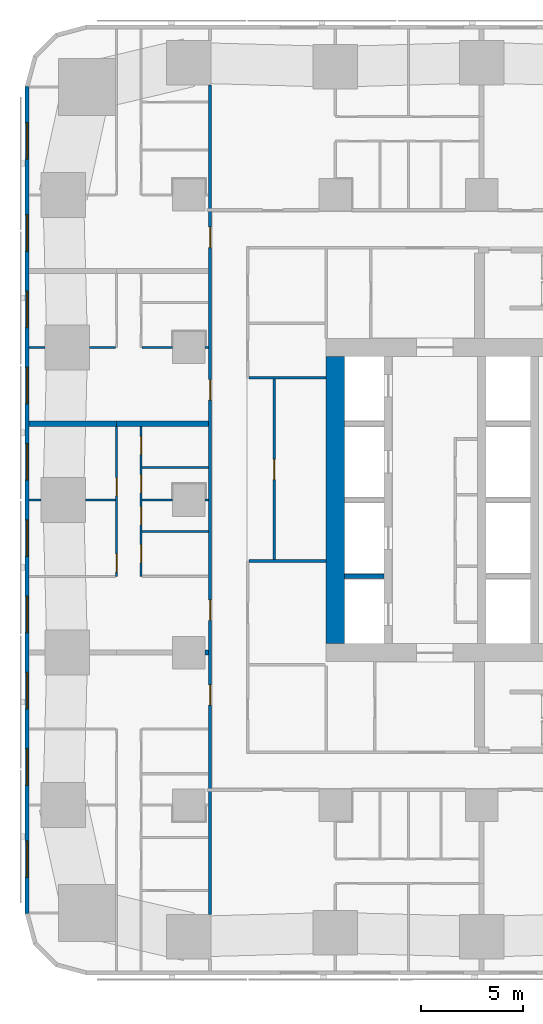
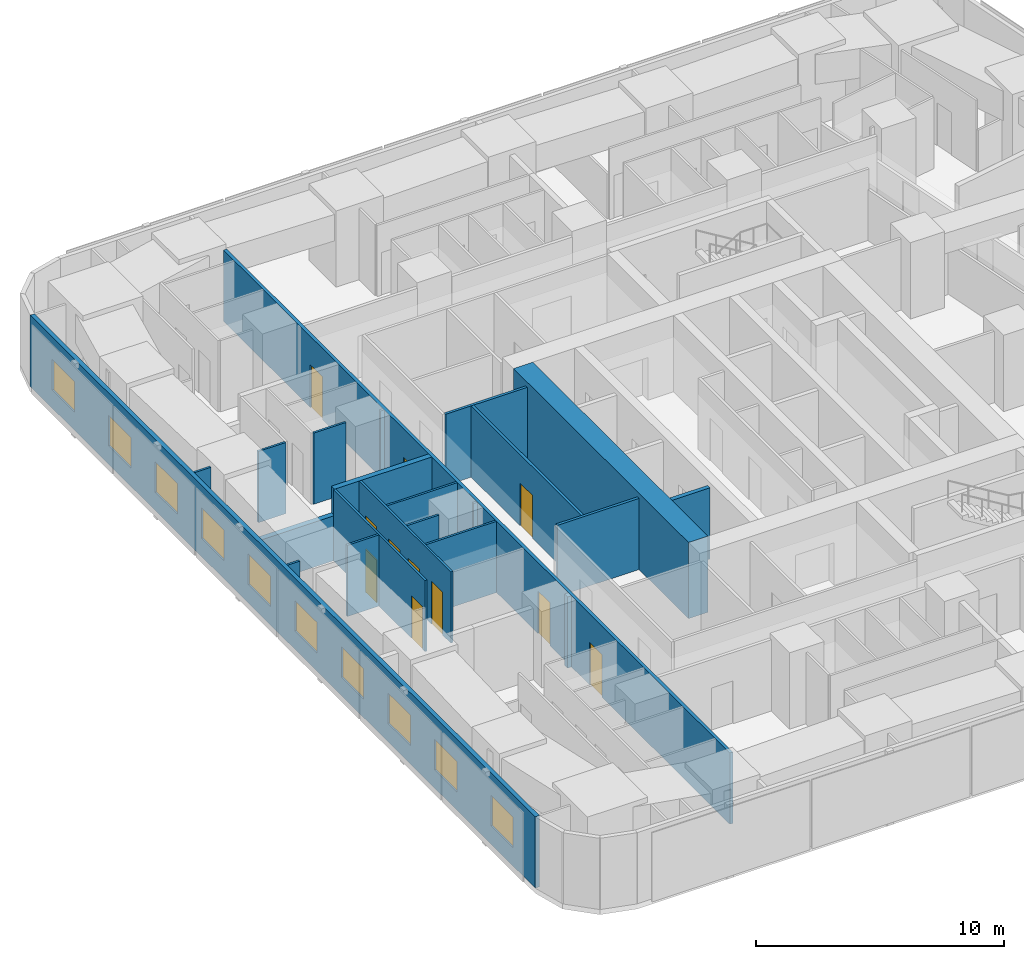
# One storey, part 4 of 15: 22 walls, 11 doors, 10 windows, 21 openings.
"""IFC4 building model written with IfcOpenShell, lengths in metres."""

import ifcopenshell
import ifcopenshell.guid

model = None  # the IFC model being written
_history = None  # IfcOwnerHistory: only IFC2X3 demands one
_inside = {}  # id of a spatial element -> (the spatial element, [elements in it])
_under = {}  # id of a project, library or spatial element -> (it, [spatial elements below it])
_declared = {}  # id of a project -> (the project, [libraries it declares])
_typed = {}  # id of a type object -> (the type object, [elements of that type])
_made_of = {}  # id of a material, layer set ... -> (it, [elements and type objects made of it])


def new_model(schema):
    """Start an empty IFC model of exactly this schema.

    Asked for "IFC4X3", IfcOpenShell would pick the latest addendum, in which some entities
    have other attributes; the version numbers below select the first issue.
    IFC2X3 requires an IfcOwnerHistory on every rooted entity: one is made here for all.
    """
    global model, _history
    if schema == "IFC4X3":
        model = ifcopenshell.file(schema_version=(4, 3, 0, 0))
    else:
        model = ifcopenshell.file(schema=schema)
    _inside.clear()
    _under.clear()
    _declared.clear()
    _typed.clear()
    _made_of.clear()
    _history = None
    if model.schema == "IFC2X3":
        org = make("IfcOrganization", Name="unknown")
        user = make(
            "IfcPersonAndOrganization",
            ThePerson=make("IfcPerson", FamilyName="unknown"),
            TheOrganization=org,
        )
        app = make(
            "IfcApplication",
            ApplicationDeveloper=org,
            Version="unknown",
            ApplicationFullName="unknown",
            ApplicationIdentifier="unknown",
        )
        _history = make(
            "IfcOwnerHistory",
            OwningUser=user,
            OwningApplication=app,
            ChangeAction="ADDED",
            CreationDate=0,
        )
    return model


def make(cls, **values):
    """One entity of the class cls with the attributes given. An attribute that is None is left unset."""
    return model.create_entity(
        cls, **{name: value for name, value in values.items() if value is not None}
    )


def rooted(cls, **values):
    """An entity with a GlobalId (a new one), such as an element, a storey or a relation."""
    return make(cls, GlobalId=ifcopenshell.guid.new(), OwnerHistory=_history, **values)


def si_unit(unit_type, name, prefix=None):
    """IfcSIUnit, for example si_unit("LENGTHUNIT", "METRE", prefix="MILLI")."""
    return make("IfcSIUnit", UnitType=unit_type, Prefix=prefix, Name=name)


def assignment(units):
    """IfcUnitAssignment: the units of a project."""
    return None if units is None else make("IfcUnitAssignment", Units=units)


def point(xyz):
    """IfcCartesianPoint."""
    return None if xyz is None else make("IfcCartesianPoint", Coordinates=xyz)


def direction(xyz):
    """IfcDirection."""
    return None if xyz is None else make("IfcDirection", DirectionRatios=xyz)


def frame(location, z_axis=None, x_axis=None):
    """IfcAxis2Placement3D, a coordinate frame: its origin and axes. An axis left out is left unset."""
    return make(
        "IfcAxis2Placement3D",
        Location=point(location),
        Axis=direction(z_axis),
        RefDirection=direction(x_axis),
    )


def frame_2d(location, x_axis=None):
    """IfcAxis2Placement2D, a coordinate frame in the plane: its origin and x axis."""
    return make(
        "IfcAxis2Placement2D", Location=point(location), RefDirection=direction(x_axis)
    )


def origin():
    """The frame at (0, 0, 0) with its axes left unset."""
    return frame((0.0, 0.0, 0.0))


def place(relative_to, where):
    """IfcLocalPlacement: puts the frame where relative to a parent placement (None: the world)."""
    return make(
        "IfcLocalPlacement", PlacementRelTo=relative_to, RelativePlacement=where
    )


def context(
    kind, dimensions, precision=None, world=None, true_north=None, identifier=None
):
    """IfcGeometricRepresentationContext, for example the 3D "Model" context."""
    return make(
        "IfcGeometricRepresentationContext",
        ContextIdentifier=identifier,
        ContextType=kind,
        CoordinateSpaceDimension=dimensions,
        Precision=precision,
        WorldCoordinateSystem=world,
        TrueNorth=true_north,
    )


def subcontext(parent, identifier, kind, view, scale=None):
    """IfcGeometricRepresentationSubContext, for example "Body" below "Model"."""
    return make(
        "IfcGeometricRepresentationSubContext",
        ContextIdentifier=identifier,
        ContextType=kind,
        ParentContext=parent,
        TargetScale=scale,
        TargetView=view,
    )


def project(units=None, contexts=None):
    """IfcProject with its units and contexts."""
    return rooted(
        "IfcProject",
        Name="project",
        RepresentationContexts=contexts,
        UnitsInContext=assignment(units),
    )


def spatial(cls, under=None, at=None, **own):
    """A site, building, storey or space (cls), placed at a placement, below another one or the project."""
    s = rooted(cls, ObjectPlacement=at, **own)
    if under is not None:
        _under.setdefault(under.id(), (under, []))[1].append(s)
    return s


def profile(cls, at=None, kind="AREA", **sizes):
    """A parametric profile (cls). Its sizes go by their IFC names, for example OverallWidth=200.0."""
    return make(cls, ProfileType=kind, Position=at, **sizes)


def rectangle(**sizes):
    """IfcRectangleProfileDef."""
    return profile("IfcRectangleProfileDef", **sizes)


def extrude(swept, where, along, depth):
    """IfcExtrudedAreaSolid: the profile swept, set in the frame where, extruded along a direction by depth."""
    return make(
        "IfcExtrudedAreaSolid",
        SweptArea=swept,
        Position=where,
        ExtrudedDirection=direction(along),
        Depth=depth,
    )


def shape(context_of_items, identifier, shape_type, items):
    """IfcShapeRepresentation: the items that make up one representation, for example the "Body"."""
    return make(
        "IfcShapeRepresentation",
        ContextOfItems=context_of_items,
        RepresentationIdentifier=identifier,
        RepresentationType=shape_type,
        Items=items,
    )


def material(Name=None, Category=None):
    """IfcMaterial."""
    return make("IfcMaterial", Name=Name, Category=Category)


def layer(
    of_material, thickness, ventilated=None, Name=None, Category=None, Priority=None
):
    """IfcMaterialLayer: one layer of a wall or slab, of a material (None: an air gap)."""
    return make(
        "IfcMaterialLayer",
        Material=of_material,
        LayerThickness=thickness,
        IsVentilated=ventilated,
        Name=Name,
        Category=Category,
        Priority=Priority,
    )


def layer_set(layers, Name=None):
    """IfcMaterialLayerSet."""
    return make("IfcMaterialLayerSet", MaterialLayers=layers, LayerSetName=Name)


def made_of(thing, what):
    """Note that an element or type object is made of a material, layer set ...; save() writes the relation."""
    if what is not None:
        _made_of.setdefault(what.id(), (what, []))[1].append(thing)
    return thing


def type_object(cls, material=None, **own):
    """A type object (cls), such as IfcWallType, which elements share."""
    return made_of(rooted(cls, **own), material)


def element(
    cls,
    number,
    at=None,
    inside=None,
    cuts=None,
    type_object=None,
    material=None,
    context=None,
    identifier="Body",
    shape_type=None,
    held_by="IfcProductDefinitionShape",
    body=None,
    shapes=None,
    **own,
):
    """One element of the class cls, such as IfcWall. Its Tag is "e" and its number.

    at: its placement. inside: the storey or other place that contains it. cuts: it is an
    opening in that element (IfcRelVoidsElement). A single representation is given by context,
    identifier, shape_type and body (its items); several are given by shapes. held_by: the class
    of the entity that holds the representations. save() writes the other relations.
    """
    e = rooted(cls, Tag="e%d" % number, ObjectPlacement=at, **own)
    if body is not None:
        shapes = [shape(context, identifier, shape_type, body)]
    if shapes is not None:
        e.Representation = make(held_by, Representations=shapes)
    if inside is not None:
        _inside.setdefault(inside.id(), (inside, []))[1].append(e)
    if cuts is not None:
        rooted(
            "IfcRelVoidsElement", RelatingBuildingElement=cuts, RelatedOpeningElement=e
        )
    if type_object is not None:
        _typed.setdefault(type_object.id(), (type_object, []))[1].append(e)
    return made_of(e, material)


def fill(opening, filler):
    """IfcRelFillsElement: the door or window that sits in an opening."""
    return rooted(
        "IfcRelFillsElement",
        RelatingOpeningElement=opening,
        RelatedBuildingElement=filler,
    )


def aggregate(whole, parts):
    """IfcRelAggregates: a whole, such as a stair, and the parts it consists of."""
    return rooted("IfcRelAggregates", RelatingObject=whole, RelatedObjects=parts)


def save(model, path):
    """Write the relations noted so far, then the file.

    IfcRelAggregates (storeys below a building ...), IfcRelContainedInSpatialStructure (elements
    in a storey), IfcRelDefinesByType, IfcRelAssociatesMaterial and IfcRelDeclares: one each for
    every whole, place, type object, material and project.
    """
    for whole, parts in _under.values():
        aggregate(whole, parts)
    for where, things in _inside.values():
        rooted(
            "IfcRelContainedInSpatialStructure",
            RelatedElements=things,
            RelatingStructure=where,
        )
    for kind, things in _typed.values():
        rooted("IfcRelDefinesByType", RelatedObjects=things, RelatingType=kind)
    for what, things in _made_of.values():
        rooted("IfcRelAssociatesMaterial", RelatedObjects=things, RelatingMaterial=what)
    for by, libraries in _declared.values():
        rooted("IfcRelDeclares", RelatingContext=by, RelatedDefinitions=libraries)
    model.write(path)


model = new_model("IFC4")

# Units and contexts
model_context = context("Model", 3, precision=1e-05, world=origin(), true_north=direction((0.0, 1.0)))
body_context = subcontext(model_context, "Body", "Model", "MODEL_VIEW")
ifc_project = project(units=[si_unit("LENGTHUNIT", "METRE"), si_unit("AREAUNIT", "SQUARE_METRE"), si_unit("VOLUMEUNIT", "CUBIC_METRE"), si_unit("PLANEANGLEUNIT", "RADIAN"), si_unit("MASSUNIT", "GRAM", prefix="KILO")], contexts=[model_context])

# Site, building, storey
site_placement = place(None, origin())
site = spatial("IfcSite", under=ifc_project, at=site_placement, CompositionType="ELEMENT")
building_placement = place(site_placement, origin())
building = spatial("IfcBuilding", under=site, at=building_placement, Name="Sheger Commons Tower", CompositionType="ELEMENT")
storey_placement = place(building_placement, frame((0.0, 0.0, 107.89990234375)))
storey = spatial("IfcBuildingStorey", under=building, at=storey_placement, Name="L27", CompositionType="ELEMENT", Elevation=107.89990234375)

# Wall
ifc_material_1 = material(Name="Concrete C50/60", Category="concrete")
ifc_layer_1 = layer(ifc_material_1, 0.89990234375)
ifc_layer_set_1 = layer_set([ifc_layer_1], Name="CORE WALL 900")
wall_type_1 = type_object("IfcWallType", Name="CORE WALL 900", PredefinedType="SHEAR", material=ifc_layer_set_1)
wall_1_placement = place(storey_placement, frame((14.39990234375, 15.449951171875, 0.0), z_axis=(0.0, 0.0, 1.0), x_axis=(0.0, 1.0, 0.0)))
element("IfcWall", 1, at=wall_1_placement, inside=storey, type_object=wall_type_1, Name="Core wall west L27", PredefinedType="SHEAR", context=body_context, shape_type="SweptSolid", body=[
    extrude(rectangle(XDim=14.10009765625, YDim=0.89990234375, at=frame_2d((7.050048828125, 0.0))), origin(), (0.0, 0.0, 1.0), 3.75),
])

# Wall, openings, doors
ifc_material_2 = material(Name="Hollow concrete block masonry, skimmed both sides", Category="masonry")
ifc_layer_2 = layer(ifc_material_2, 0.14990234375)
ifc_layer_set_2 = layer_set([ifc_layer_2], Name="CORRIDOR WALL 150")
wall_type_2 = type_object("IfcWallType", Name="CORRIDOR WALL 150", PredefinedType="SOLIDWALL", material=ifc_layer_set_2)
wall_2_placement = place(storey_placement, frame((8.25, 2.1259765625, 0.0), z_axis=(0.0, 0.0, 1.0), x_axis=(0.0, 1.0, 0.0)))
wall_2 = element("IfcWall", 2, at=wall_2_placement, inside=storey, type_object=wall_type_2, Name="Corridor wall L27", PredefinedType="SOLIDWALL", context=body_context, shape_type="SweptSolid", body=[
    extrude(rectangle(XDim=40.77294921875, YDim=0.14990234375, at=frame_2d((20.386474609375, 0.0))), origin(), (0.0, 0.0, 1.0), 3.5),
])
opening_1_placement = place(wall_2_placement, frame((10.285888671875, 0.0, 0.0)))
opening_1 = element("IfcOpeningElement", 3, at=opening_1_placement, cuts=wall_2, Name="Opening D1", PredefinedType="OPENING", context=body_context, shape_type="SweptSolid", body=[
    extrude(rectangle(XDim=1.0, YDim=2.10009765625, at=frame_2d((0.5, 1.050048828125))), frame((0.0, 0.0849609375, 0.0), z_axis=(0.0, -1.0, 0.0), x_axis=(1.0, 0.0, 0.0)), (0.0, 0.0, 1.0), 0.169921875),
])
opening_2_placement = place(wall_2_placement, frame((14.4609375, 0.0, 0.0)))
opening_2 = element("IfcOpeningElement", 4, at=opening_2_placement, cuts=wall_2, Name="Opening D1", PredefinedType="OPENING", context=body_context, shape_type="SweptSolid", body=[
    extrude(rectangle(XDim=1.0, YDim=2.10009765625, at=frame_2d((0.5, 1.050048828125))), frame((0.0, 0.0849609375, 0.0), z_axis=(0.0, -1.0, 0.0), x_axis=(1.0, 0.0, 0.0)), (0.0, 0.0, 1.0), 0.169921875),
])
opening_3_placement = place(wall_2_placement, frame((25.287109375, 0.0, 0.0)))
opening_3 = element("IfcOpeningElement", 5, at=opening_3_placement, cuts=wall_2, Name="Opening D1", PredefinedType="OPENING", context=body_context, shape_type="SweptSolid", body=[
    extrude(rectangle(XDim=1.0, YDim=2.10009765625, at=frame_2d((0.5, 1.050048828125))), frame((0.0, 0.0849609375, 0.0), z_axis=(0.0, -1.0, 0.0), x_axis=(1.0, 0.0, 0.0)), (0.0, 0.0, 1.0), 0.169921875),
])
opening_4_placement = place(wall_2_placement, frame((32.787109375, 0.0, 0.0)))
opening_4 = element("IfcOpeningElement", 6, at=opening_4_placement, cuts=wall_2, Name="Opening D1", PredefinedType="OPENING", context=body_context, shape_type="SweptSolid", body=[
    extrude(rectangle(XDim=1.0, YDim=2.10009765625, at=frame_2d((0.5, 1.050048828125))), frame((0.0, 0.0849609375, 0.0), z_axis=(0.0, -1.0, 0.0), x_axis=(1.0, 0.0, 0.0)), (0.0, 0.0, 1.0), 0.169921875),
])
ifc_material_3 = material(Name="Steel door set, fire rated", Category="steel")
door_type_1 = type_object("IfcDoorType", Name="FLAT ENTRANCE DOOR 1000x2100", OperationType="NOTDEFINED", PredefinedType="DOOR", material=ifc_material_3)
door_1_placement = place(opening_1_placement, origin())
door_1 = element("IfcDoor", 7, at=door_1_placement, inside=storey, type_object=door_type_1, Name="Flat entrance door", OperationType="SINGLE_SWING_LEFT", OverallHeight=2.10009765625, OverallWidth=1.0, PredefinedType="DOOR", context=body_context, shape_type="SweptSolid", body=[
    extrude(rectangle(XDim=1.0, YDim=2.10009765625, at=frame_2d((0.5, 1.050048828125))), frame((0.0, 0.02490234375, 0.0), z_axis=(0.0, -1.0, 0.0), x_axis=(1.0, 0.0, 0.0)), (0.0, 0.0, 1.0), 0.050048828125),
])
fill(opening_1, door_1)
door_2_placement = place(opening_2_placement, origin())
door_2 = element("IfcDoor", 8, at=door_2_placement, inside=storey, type_object=door_type_1, Name="Flat entrance door", OperationType="SINGLE_SWING_RIGHT", OverallHeight=2.10009765625, OverallWidth=1.0, PredefinedType="DOOR", context=body_context, shape_type="SweptSolid", body=[
    extrude(rectangle(XDim=1.0, YDim=2.10009765625, at=frame_2d((0.5, 1.050048828125))), frame((0.0, 0.02490234375, 0.0), z_axis=(0.0, -1.0, 0.0), x_axis=(1.0, 0.0, 0.0)), (0.0, 0.0, 1.0), 0.050048828125),
])
fill(opening_2, door_2)
door_3_placement = place(opening_3_placement, origin())
door_3 = element("IfcDoor", 9, at=door_3_placement, inside=storey, type_object=door_type_1, Name="Flat entrance door", OperationType="SINGLE_SWING_LEFT", OverallHeight=2.10009765625, OverallWidth=1.0, PredefinedType="DOOR", context=body_context, shape_type="SweptSolid", body=[
    extrude(rectangle(XDim=1.0, YDim=2.10009765625, at=frame_2d((0.5, 1.050048828125))), frame((0.0, 0.02490234375, 0.0), z_axis=(0.0, -1.0, 0.0), x_axis=(1.0, 0.0, 0.0)), (0.0, 0.0, 1.0), 0.050048828125),
])
fill(opening_3, door_3)
door_4_placement = place(opening_4_placement, origin())
door_4 = element("IfcDoor", 10, at=door_4_placement, inside=storey, type_object=door_type_1, Name="Flat entrance door", OperationType="SINGLE_SWING_LEFT", OverallHeight=2.10009765625, OverallWidth=1.0, PredefinedType="DOOR", context=body_context, shape_type="SweptSolid", body=[
    extrude(rectangle(XDim=1.0, YDim=2.10009765625, at=frame_2d((0.5, 1.050048828125))), frame((0.0, 0.02490234375, 0.0), z_axis=(0.0, -1.0, 0.0), x_axis=(1.0, 0.0, 0.0)), (0.0, 0.0, 1.0), 0.050048828125),
])
fill(opening_4, door_4)

# Walls
ifc_material_4 = material(Name="Dense concrete block masonry, plastered both sides (separating wall between flats)", Category="masonry")
ifc_layer_3 = layer(ifc_material_4, 0.25)
ifc_layer_set_3 = layer_set([ifc_layer_3], Name="DEMISING WALL 250")
wall_type_3 = type_object("IfcWallType", Name="DEMISING WALL 250", PredefinedType="SOLIDWALL", material=ifc_layer_set_3)
wall_3_placement = place(storey_placement, frame((8.0009765625, 15.0, 0.0), z_axis=(0.0, 0.0, 1.0), x_axis=(1.0, 0.0, 0.0)))
element("IfcWall", 11, at=wall_3_placement, inside=storey, type_object=wall_type_3, Name="Demising wall L27", PredefinedType="SOLIDWALL", context=body_context, shape_type="SweptSolid", body=[
    extrude(rectangle(XDim=0.174072265625, YDim=0.25, at=frame_2d((0.0869140625, 0.0))), origin(), (0.0, 0.0, 1.0), 3.5),
])
wall_4_placement = place(storey_placement, frame((-0.64990234375, 26.25, 0.0), z_axis=(0.0, 0.0, 1.0), x_axis=(1.0, 0.0, 0.0)))
element("IfcWall", 12, at=wall_4_placement, inside=storey, type_object=wall_type_3, Name="Demising wall L27", PredefinedType="SOLIDWALL", context=body_context, shape_type="SweptSolid", body=[
    extrude(rectangle(XDim=4.2998046875, YDim=0.25, at=frame_2d((2.14990234375, 0.0))), origin(), (0.0, 0.0, 1.0), 2.2001953125),
])
wall_5_placement = place(storey_placement, frame((3.64990234375, 26.25, 0.0), z_axis=(0.0, 0.0, 1.0), x_axis=(1.0, 0.0, 0.0)))
element("IfcWall", 13, at=wall_5_placement, inside=storey, type_object=wall_type_3, Name="Demising wall L27", PredefinedType="SOLIDWALL", context=body_context, shape_type="SweptSolid", body=[
    extrude(rectangle(XDim=4.525146484375, YDim=0.25, at=frame_2d((2.2626953125, 0.0))), origin(), (0.0, 0.0, 1.0), 3.5),
])

# Wall, openings, windows
ifc_material_5 = material(Name="Rendered concrete block masonry, dark grey", Category="masonry")
ifc_layer_4 = layer(ifc_material_5, 0.199951171875)
ifc_layer_set_4 = layer_set([ifc_layer_4], Name="FACADE WALL 200")
wall_type_4 = type_object("IfcWallType", Name="FACADE WALL 200", PredefinedType="SOLIDWALL", material=ifc_layer_set_4)
wall_6_placement = place(storey_placement, frame((-0.75, 42.8369140625, 0.0), z_axis=(0.0, 0.0, 1.0), x_axis=(0.0, -1.0, 0.0)))
wall_6 = element("IfcWall", 14, at=wall_6_placement, inside=storey, type_object=wall_type_4, Name="Facade wall L27", PredefinedType="SOLIDWALL", context=body_context, shape_type="SweptSolid", body=[
    extrude(rectangle(XDim=40.673828125, YDim=0.199951171875, at=frame_2d((20.3369140625, 0.0))), origin(), (0.0, 0.0, 1.0), 3.5),
])
opening_5_placement = place(wall_6_placement, frame((1.780029296875, 0.0, 0.89990234375)))
opening_5 = element("IfcOpeningElement", 15, at=opening_5_placement, cuts=wall_6, Name="Opening W2", PredefinedType="OPENING", context=body_context, shape_type="SweptSolid", body=[
    extrude(rectangle(XDim=1.800048828125, YDim=1.5, at=frame_2d((0.89990234375, 0.75))), frame((0.0, 0.10986328125, 0.0), z_axis=(0.0, -1.0, 0.0), x_axis=(1.0, 0.0, 0.0)), (0.0, 0.0, 1.0), 0.219970703125),
])
opening_6_placement = place(wall_6_placement, frame((6.31201171875, 0.0, 0.89990234375)))
opening_6 = element("IfcOpeningElement", 16, at=opening_6_placement, cuts=wall_6, Name="Opening W2", PredefinedType="OPENING", context=body_context, shape_type="SweptSolid", body=[
    extrude(rectangle(XDim=1.800048828125, YDim=1.5, at=frame_2d((0.89990234375, 0.75))), frame((0.0, 0.10986328125, 0.0), z_axis=(0.0, -1.0, 0.0), x_axis=(1.0, 0.0, 0.0)), (0.0, 0.0, 1.0), 0.219970703125),
])
opening_7_placement = place(wall_6_placement, frame((10.06201171875, 0.0, 0.89990234375)))
opening_7 = element("IfcOpeningElement", 17, at=opening_7_placement, cuts=wall_6, Name="Opening W2", PredefinedType="OPENING", context=body_context, shape_type="SweptSolid", body=[
    extrude(rectangle(XDim=1.800048828125, YDim=1.5, at=frame_2d((0.89990234375, 0.75))), frame((0.0, 0.10986328125, 0.0), z_axis=(0.0, -1.0, 0.0), x_axis=(1.0, 0.0, 0.0)), (0.0, 0.0, 1.0), 0.219970703125),
])
opening_8_placement = place(wall_6_placement, frame((13.81201171875, 0.0, 0.89990234375)))
opening_8 = element("IfcOpeningElement", 18, at=opening_8_placement, cuts=wall_6, Name="Opening W2", PredefinedType="OPENING", context=body_context, shape_type="SweptSolid", body=[
    extrude(rectangle(XDim=1.800048828125, YDim=1.5, at=frame_2d((0.89990234375, 0.75))), frame((0.0, 0.10986328125, 0.0), z_axis=(0.0, -1.0, 0.0), x_axis=(1.0, 0.0, 0.0)), (0.0, 0.0, 1.0), 0.219970703125),
])
opening_9_placement = place(wall_6_placement, frame((17.56201171875, 0.0, 0.89990234375)))
opening_9 = element("IfcOpeningElement", 19, at=opening_9_placement, cuts=wall_6, Name="Opening W2", PredefinedType="OPENING", context=body_context, shape_type="SweptSolid", body=[
    extrude(rectangle(XDim=1.800048828125, YDim=1.5, at=frame_2d((0.89990234375, 0.75))), frame((0.0, 0.10986328125, 0.0), z_axis=(0.0, -1.0, 0.0), x_axis=(1.0, 0.0, 0.0)), (0.0, 0.0, 1.0), 0.219970703125),
])
opening_10_placement = place(wall_6_placement, frame((21.31201171875, 0.0, 0.89990234375)))
opening_10 = element("IfcOpeningElement", 20, at=opening_10_placement, cuts=wall_6, Name="Opening W2", PredefinedType="OPENING", context=body_context, shape_type="SweptSolid", body=[
    extrude(rectangle(XDim=1.800048828125, YDim=1.5, at=frame_2d((0.89990234375, 0.75))), frame((0.0, 0.10986328125, 0.0), z_axis=(0.0, -1.0, 0.0), x_axis=(1.0, 0.0, 0.0)), (0.0, 0.0, 1.0), 0.219970703125),
])
opening_11_placement = place(wall_6_placement, frame((25.06201171875, 0.0, 0.89990234375)))
opening_11 = element("IfcOpeningElement", 21, at=opening_11_placement, cuts=wall_6, Name="Opening W2", PredefinedType="OPENING", context=body_context, shape_type="SweptSolid", body=[
    extrude(rectangle(XDim=1.800048828125, YDim=1.5, at=frame_2d((0.89990234375, 0.75))), frame((0.0, 0.10986328125, 0.0), z_axis=(0.0, -1.0, 0.0), x_axis=(1.0, 0.0, 0.0)), (0.0, 0.0, 1.0), 0.219970703125),
])
opening_12_placement = place(wall_6_placement, frame((28.81201171875, 0.0, 0.89990234375)))
opening_12 = element("IfcOpeningElement", 22, at=opening_12_placement, cuts=wall_6, Name="Opening W2", PredefinedType="OPENING", context=body_context, shape_type="SweptSolid", body=[
    extrude(rectangle(XDim=1.800048828125, YDim=1.5, at=frame_2d((0.89990234375, 0.75))), frame((0.0, 0.10986328125, 0.0), z_axis=(0.0, -1.0, 0.0), x_axis=(1.0, 0.0, 0.0)), (0.0, 0.0, 1.0), 0.219970703125),
])
opening_13_placement = place(wall_6_placement, frame((32.56201171875, 0.0, 0.89990234375)))
opening_13 = element("IfcOpeningElement", 23, at=opening_13_placement, cuts=wall_6, Name="Opening W2", PredefinedType="OPENING", context=body_context, shape_type="SweptSolid", body=[
    extrude(rectangle(XDim=1.800048828125, YDim=1.5, at=frame_2d((0.89990234375, 0.75))), frame((0.0, 0.10986328125, 0.0), z_axis=(0.0, -1.0, 0.0), x_axis=(1.0, 0.0, 0.0)), (0.0, 0.0, 1.0), 0.219970703125),
])
opening_14_placement = place(wall_6_placement, frame((37.093994140625, 0.0, 0.89990234375)))
opening_14 = element("IfcOpeningElement", 24, at=opening_14_placement, cuts=wall_6, Name="Opening W2", PredefinedType="OPENING", context=body_context, shape_type="SweptSolid", body=[
    extrude(rectangle(XDim=1.800048828125, YDim=1.5, at=frame_2d((0.89990234375, 0.75))), frame((0.0, 0.10986328125, 0.0), z_axis=(0.0, -1.0, 0.0), x_axis=(1.0, 0.0, 0.0)), (0.0, 0.0, 1.0), 0.219970703125),
])
ifc_material_6 = material(Name="Black aluminium frame, dark tinted double glazing", Category="aluminium")
window_type = type_object("IfcWindowType", Name="WINDOW W2 1800x1500", PartitioningType="SINGLE_PANEL", PredefinedType="WINDOW", material=ifc_material_6)
window_1_placement = place(opening_5_placement, origin())
window_1 = element("IfcWindow", 25, at=window_1_placement, inside=storey, type_object=window_type, Name="Window W2 1800X1500", OverallHeight=1.5, OverallWidth=1.800048828125, PartitioningType="SINGLE_PANEL", PredefinedType="WINDOW", context=body_context, shape_type="SweptSolid", body=[
    extrude(rectangle(XDim=1.800048828125, YDim=1.5, at=frame_2d((0.89990234375, 0.75))), frame((0.0, 0.030029296875, 0.0), z_axis=(0.0, -1.0, 0.0), x_axis=(1.0, 0.0, 0.0)), (0.0, 0.0, 1.0), 0.06005859375),
])
fill(opening_5, window_1)
window_2_placement = place(opening_6_placement, origin())
window_2 = element("IfcWindow", 26, at=window_2_placement, inside=storey, type_object=window_type, Name="Window W2 1800X1500", OverallHeight=1.5, OverallWidth=1.800048828125, PartitioningType="SINGLE_PANEL", PredefinedType="WINDOW", context=body_context, shape_type="SweptSolid", body=[
    extrude(rectangle(XDim=1.800048828125, YDim=1.5, at=frame_2d((0.89990234375, 0.75))), frame((0.0, 0.030029296875, 0.0), z_axis=(0.0, -1.0, 0.0), x_axis=(1.0, 0.0, 0.0)), (0.0, 0.0, 1.0), 0.06005859375),
])
fill(opening_6, window_2)
window_3_placement = place(opening_7_placement, origin())
window_3 = element("IfcWindow", 27, at=window_3_placement, inside=storey, type_object=window_type, Name="Window W2 1800X1500", OverallHeight=1.5, OverallWidth=1.800048828125, PartitioningType="SINGLE_PANEL", PredefinedType="WINDOW", context=body_context, shape_type="SweptSolid", body=[
    extrude(rectangle(XDim=1.800048828125, YDim=1.5, at=frame_2d((0.89990234375, 0.75))), frame((0.0, 0.030029296875, 0.0), z_axis=(0.0, -1.0, 0.0), x_axis=(1.0, 0.0, 0.0)), (0.0, 0.0, 1.0), 0.06005859375),
])
fill(opening_7, window_3)
window_4_placement = place(opening_8_placement, origin())
window_4 = element("IfcWindow", 28, at=window_4_placement, inside=storey, type_object=window_type, Name="Window W2 1800X1500", OverallHeight=1.5, OverallWidth=1.800048828125, PartitioningType="SINGLE_PANEL", PredefinedType="WINDOW", context=body_context, shape_type="SweptSolid", body=[
    extrude(rectangle(XDim=1.800048828125, YDim=1.5, at=frame_2d((0.89990234375, 0.75))), frame((0.0, 0.030029296875, 0.0), z_axis=(0.0, -1.0, 0.0), x_axis=(1.0, 0.0, 0.0)), (0.0, 0.0, 1.0), 0.06005859375),
])
fill(opening_8, window_4)
window_5_placement = place(opening_9_placement, origin())
window_5 = element("IfcWindow", 29, at=window_5_placement, inside=storey, type_object=window_type, Name="Window W2 1800X1500", OverallHeight=1.5, OverallWidth=1.800048828125, PartitioningType="SINGLE_PANEL", PredefinedType="WINDOW", context=body_context, shape_type="SweptSolid", body=[
    extrude(rectangle(XDim=1.800048828125, YDim=1.5, at=frame_2d((0.89990234375, 0.75))), frame((0.0, 0.030029296875, 0.0), z_axis=(0.0, -1.0, 0.0), x_axis=(1.0, 0.0, 0.0)), (0.0, 0.0, 1.0), 0.06005859375),
])
fill(opening_9, window_5)
window_6_placement = place(opening_10_placement, origin())
window_6 = element("IfcWindow", 30, at=window_6_placement, inside=storey, type_object=window_type, Name="Window W2 1800X1500", OverallHeight=1.5, OverallWidth=1.800048828125, PartitioningType="SINGLE_PANEL", PredefinedType="WINDOW", context=body_context, shape_type="SweptSolid", body=[
    extrude(rectangle(XDim=1.800048828125, YDim=1.5, at=frame_2d((0.89990234375, 0.75))), frame((0.0, 0.030029296875, 0.0), z_axis=(0.0, -1.0, 0.0), x_axis=(1.0, 0.0, 0.0)), (0.0, 0.0, 1.0), 0.06005859375),
])
fill(opening_10, window_6)
window_7_placement = place(opening_11_placement, origin())
window_7 = element("IfcWindow", 31, at=window_7_placement, inside=storey, type_object=window_type, Name="Window W2 1800X1500", OverallHeight=1.5, OverallWidth=1.800048828125, PartitioningType="SINGLE_PANEL", PredefinedType="WINDOW", context=body_context, shape_type="SweptSolid", body=[
    extrude(rectangle(XDim=1.800048828125, YDim=1.5, at=frame_2d((0.89990234375, 0.75))), frame((0.0, 0.030029296875, 0.0), z_axis=(0.0, -1.0, 0.0), x_axis=(1.0, 0.0, 0.0)), (0.0, 0.0, 1.0), 0.06005859375),
])
fill(opening_11, window_7)
window_8_placement = place(opening_12_placement, origin())
window_8 = element("IfcWindow", 32, at=window_8_placement, inside=storey, type_object=window_type, Name="Window W2 1800X1500", OverallHeight=1.5, OverallWidth=1.800048828125, PartitioningType="SINGLE_PANEL", PredefinedType="WINDOW", context=body_context, shape_type="SweptSolid", body=[
    extrude(rectangle(XDim=1.800048828125, YDim=1.5, at=frame_2d((0.89990234375, 0.75))), frame((0.0, 0.030029296875, 0.0), z_axis=(0.0, -1.0, 0.0), x_axis=(1.0, 0.0, 0.0)), (0.0, 0.0, 1.0), 0.06005859375),
])
fill(opening_12, window_8)
window_9_placement = place(opening_13_placement, origin())
window_9 = element("IfcWindow", 33, at=window_9_placement, inside=storey, type_object=window_type, Name="Window W2 1800X1500", OverallHeight=1.5, OverallWidth=1.800048828125, PartitioningType="SINGLE_PANEL", PredefinedType="WINDOW", context=body_context, shape_type="SweptSolid", body=[
    extrude(rectangle(XDim=1.800048828125, YDim=1.5, at=frame_2d((0.89990234375, 0.75))), frame((0.0, 0.030029296875, 0.0), z_axis=(0.0, -1.0, 0.0), x_axis=(1.0, 0.0, 0.0)), (0.0, 0.0, 1.0), 0.06005859375),
])
fill(opening_13, window_9)
window_10_placement = place(opening_14_placement, origin())
window_10 = element("IfcWindow", 34, at=window_10_placement, inside=storey, type_object=window_type, Name="Window W2 1800X1500", OverallHeight=1.5, OverallWidth=1.800048828125, PartitioningType="SINGLE_PANEL", PredefinedType="WINDOW", context=body_context, shape_type="SweptSolid", body=[
    extrude(rectangle(XDim=1.800048828125, YDim=1.5, at=frame_2d((0.89990234375, 0.75))), frame((0.0, 0.030029296875, 0.0), z_axis=(0.0, -1.0, 0.0), x_axis=(1.0, 0.0, 0.0)), (0.0, 0.0, 1.0), 0.06005859375),
])
fill(opening_14, window_10)

# Wall, openings, doors
ifc_material_7 = material(Name="Gypsum board on steel studs", Category="steel")
ifc_layer_5 = layer(ifc_material_7, 0.10009765625)
ifc_layer_set_5 = layer_set([ifc_layer_5], Name="PARTITION 100")
wall_type_5 = type_object("IfcWallType", Name="PARTITION 100", PredefinedType="PARTITIONING", material=ifc_layer_set_5)
wall_7_placement = place(storey_placement, frame((3.64990234375, 18.75, 0.0), z_axis=(0.0, 0.0, 1.0), x_axis=(0.0, 1.0, 0.0)))
wall_7 = element("IfcWall", 35, at=wall_7_placement, inside=storey, type_object=wall_type_5, Name="Partition L27", PredefinedType="PARTITIONING", context=body_context, shape_type="SweptSolid", body=[
    extrude(rectangle(XDim=7.375, YDim=0.10009765625, at=frame_2d((3.6875, 0.0))), origin(), (0.0, 0.0, 1.0), 3.5),
])
opening_15_placement = place(wall_7_placement, frame((0.199951171875, 0.0, 0.0)))
opening_15 = element("IfcOpeningElement", 36, at=opening_15_placement, cuts=wall_7, Name="Opening D2", PredefinedType="OPENING", context=body_context, shape_type="SweptSolid", body=[
    extrude(rectangle(XDim=0.89990234375, YDim=2.10009765625, at=frame_2d((0.449951171875, 1.050048828125))), frame((0.0, 0.06005859375, 0.0), z_axis=(0.0, -1.0, 0.0), x_axis=(1.0, 0.0, 0.0)), (0.0, 0.0, 1.0), 0.1201171875),
])
opening_16_placement = place(wall_7_placement, frame((3.949951171875, 0.0, 0.0)))
opening_16 = element("IfcOpeningElement", 37, at=opening_16_placement, cuts=wall_7, Name="Opening D2", PredefinedType="OPENING", context=body_context, shape_type="SweptSolid", body=[
    extrude(rectangle(XDim=0.89990234375, YDim=2.10009765625, at=frame_2d((0.449951171875, 1.050048828125))), frame((0.0, 0.06005859375, 0.0), z_axis=(0.0, -1.0, 0.0), x_axis=(1.0, 0.0, 0.0)), (0.0, 0.0, 1.0), 0.1201171875),
])
ifc_material_8 = material(Name="Timber door set", Category="wood")
door_type_2 = type_object("IfcDoorType", Name="INTERNAL DOOR 900x2100", OperationType="NOTDEFINED", PredefinedType="DOOR", material=ifc_material_8)
door_5_placement = place(opening_15_placement, origin())
door_5 = element("IfcDoor", 38, at=door_5_placement, inside=storey, type_object=door_type_2, Name="Main bedroom door", OperationType="SINGLE_SWING_LEFT", OverallHeight=2.10009765625, OverallWidth=0.89990234375, PredefinedType="DOOR", context=body_context, shape_type="SweptSolid", body=[
    extrude(rectangle(XDim=0.89990234375, YDim=2.10009765625, at=frame_2d((0.449951171875, 1.050048828125))), frame((0.0, 0.02490234375, 0.0), z_axis=(0.0, -1.0, 0.0), x_axis=(1.0, 0.0, 0.0)), (0.0, 0.0, 1.0), 0.050048828125),
])
fill(opening_15, door_5)
door_6_placement = place(opening_16_placement, origin())
door_6 = element("IfcDoor", 39, at=door_6_placement, inside=storey, type_object=door_type_2, Name="Bedroom 2 door", OperationType="SINGLE_SWING_LEFT", OverallHeight=2.10009765625, OverallWidth=0.89990234375, PredefinedType="DOOR", context=body_context, shape_type="SweptSolid", body=[
    extrude(rectangle(XDim=0.89990234375, YDim=2.10009765625, at=frame_2d((0.449951171875, 1.050048828125))), frame((0.0, 0.02490234375, 0.0), z_axis=(0.0, -1.0, 0.0), x_axis=(1.0, 0.0, 0.0)), (0.0, 0.0, 1.0), 0.050048828125),
])
fill(opening_16, door_6)

wall_8_placement = place(storey_placement, frame((4.85009765625, 18.75, 0.0), z_axis=(0.0, 0.0, 1.0), x_axis=(0.0, 1.0, 0.0)))
wall_8 = element("IfcWall", 40, at=wall_8_placement, inside=storey, type_object=wall_type_5, Name="Partition L27", PredefinedType="PARTITIONING", context=body_context, shape_type="SweptSolid", body=[
    extrude(rectangle(XDim=7.375, YDim=0.10009765625, at=frame_2d((3.6875, 0.0))), origin(), (0.0, 0.0, 1.0), 3.5),
])
opening_17_placement = place(wall_8_placement, frame((0.655029296875, 0.0, 0.0)))
opening_17 = element("IfcOpeningElement", 41, at=opening_17_placement, cuts=wall_8, Name="Opening D2", PredefinedType="OPENING", context=body_context, shape_type="SweptSolid", body=[
    extrude(rectangle(XDim=0.89990234375, YDim=2.10009765625, at=frame_2d((0.449951171875, 1.050048828125))), frame((0.0, 0.06005859375, 0.0), z_axis=(0.0, -1.0, 0.0), x_axis=(1.0, 0.0, 0.0)), (0.0, 0.0, 1.0), 0.1201171875),
])
opening_18_placement = place(wall_8_placement, frame((4.10009765625, 0.0, 0.0)))
opening_18 = element("IfcOpeningElement", 42, at=opening_18_placement, cuts=wall_8, Name="Opening D2", PredefinedType="OPENING", context=body_context, shape_type="SweptSolid", body=[
    extrude(rectangle(XDim=0.89990234375, YDim=2.10009765625, at=frame_2d((0.449951171875, 1.050048828125))), frame((0.0, 0.06005859375, 0.0), z_axis=(0.0, -1.0, 0.0), x_axis=(1.0, 0.0, 0.0)), (0.0, 0.0, 1.0), 0.1201171875),
])
opening_19_placement = place(wall_8_placement, frame((2.530029296875, 0.0, 0.0)))
opening_19 = element("IfcOpeningElement", 43, at=opening_19_placement, cuts=wall_8, Name="Opening D2", PredefinedType="OPENING", context=body_context, shape_type="SweptSolid", body=[
    extrude(rectangle(XDim=0.89990234375, YDim=2.10009765625, at=frame_2d((0.449951171875, 1.050048828125))), frame((0.0, 0.06005859375, 0.0), z_axis=(0.0, -1.0, 0.0), x_axis=(1.0, 0.0, 0.0)), (0.0, 0.0, 1.0), 0.1201171875),
])
opening_20_placement = place(wall_8_placement, frame((5.97509765625, 0.0, 0.0)))
opening_20 = element("IfcOpeningElement", 44, at=opening_20_placement, cuts=wall_8, Name="Opening D2", PredefinedType="OPENING", context=body_context, shape_type="SweptSolid", body=[
    extrude(rectangle(XDim=0.89990234375, YDim=2.10009765625, at=frame_2d((0.449951171875, 1.050048828125))), frame((0.0, 0.06005859375, 0.0), z_axis=(0.0, -1.0, 0.0), x_axis=(1.0, 0.0, 0.0)), (0.0, 0.0, 1.0), 0.1201171875),
])
door_7_placement = place(opening_17_placement, origin())
door_7 = element("IfcDoor", 45, at=door_7_placement, inside=storey, type_object=door_type_2, Name="Bathroom door", OperationType="SINGLE_SWING_RIGHT", OverallHeight=2.10009765625, OverallWidth=0.89990234375, PredefinedType="DOOR", context=body_context, shape_type="SweptSolid", body=[
    extrude(rectangle(XDim=0.89990234375, YDim=2.10009765625, at=frame_2d((0.449951171875, 1.050048828125))), frame((0.0, 0.02490234375, 0.0), z_axis=(0.0, -1.0, 0.0), x_axis=(1.0, 0.0, 0.0)), (0.0, 0.0, 1.0), 0.050048828125),
])
fill(opening_17, door_7)
door_8_placement = place(opening_18_placement, origin())
door_8 = element("IfcDoor", 46, at=door_8_placement, inside=storey, type_object=door_type_2, Name="Shower room door", OperationType="SINGLE_SWING_RIGHT", OverallHeight=2.10009765625, OverallWidth=0.89990234375, PredefinedType="DOOR", context=body_context, shape_type="SweptSolid", body=[
    extrude(rectangle(XDim=0.89990234375, YDim=2.10009765625, at=frame_2d((0.449951171875, 1.050048828125))), frame((0.0, 0.02490234375, 0.0), z_axis=(0.0, -1.0, 0.0), x_axis=(1.0, 0.0, 0.0)), (0.0, 0.0, 1.0), 0.050048828125),
])
fill(opening_18, door_8)
door_9_placement = place(opening_19_placement, origin())
door_9 = element("IfcDoor", 47, at=door_9_placement, inside=storey, type_object=door_type_2, Name="Store door", OperationType="SINGLE_SWING_RIGHT", OverallHeight=2.10009765625, OverallWidth=0.89990234375, PredefinedType="DOOR", context=body_context, shape_type="SweptSolid", body=[
    extrude(rectangle(XDim=0.89990234375, YDim=2.10009765625, at=frame_2d((0.449951171875, 1.050048828125))), frame((0.0, 0.02490234375, 0.0), z_axis=(0.0, -1.0, 0.0), x_axis=(1.0, 0.0, 0.0)), (0.0, 0.0, 1.0), 0.050048828125),
])
fill(opening_19, door_9)
door_10_placement = place(opening_20_placement, origin())
door_10 = element("IfcDoor", 48, at=door_10_placement, inside=storey, type_object=door_type_2, Name="Store door", OperationType="SINGLE_SWING_LEFT", OverallHeight=2.10009765625, OverallWidth=0.89990234375, PredefinedType="DOOR", context=body_context, shape_type="SweptSolid", body=[
    extrude(rectangle(XDim=0.89990234375, YDim=2.10009765625, at=frame_2d((0.449951171875, 1.050048828125))), frame((0.0, 0.02490234375, 0.0), z_axis=(0.0, -1.0, 0.0), x_axis=(1.0, 0.0, 0.0)), (0.0, 0.0, 1.0), 0.050048828125),
])
fill(opening_20, door_10)

# Walls
wall_9_placement = place(storey_placement, frame((-0.64990234375, 22.5, 0.0), z_axis=(0.0, 0.0, 1.0), x_axis=(1.0, 0.0, 0.0)))
element("IfcWall", 49, at=wall_9_placement, inside=storey, type_object=wall_type_5, Name="Partition L27", PredefinedType="PARTITIONING", context=body_context, shape_type="SweptSolid", body=[
    extrude(rectangle(XDim=0.573974609375, YDim=0.10009765625, at=frame_2d((0.287109375, 0.0))), origin(), (0.0, 0.0, 1.0), 3.5),
])
wall_10_placement = place(storey_placement, frame((2.1259765625, 22.5, 0.0), z_axis=(0.0, 0.0, 1.0), x_axis=(1.0, 0.0, 0.0)))
element("IfcWall", 50, at=wall_10_placement, inside=storey, type_object=wall_type_5, Name="Partition L27", PredefinedType="PARTITIONING", context=body_context, shape_type="SweptSolid", body=[
    extrude(rectangle(XDim=1.47412109375, YDim=0.10009765625, at=frame_2d((0.737060546875, 0.0))), origin(), (0.0, 0.0, 1.0), 3.5),
])
wall_11_placement = place(storey_placement, frame((4.89990234375, 22.5, 0.0), z_axis=(0.0, 0.0, 1.0), x_axis=(1.0, 0.0, 0.0)))
element("IfcWall", 51, at=wall_11_placement, inside=storey, type_object=wall_type_5, Name="Partition L27", PredefinedType="PARTITIONING", context=body_context, shape_type="SweptSolid", body=[
    extrude(rectangle(XDim=1.4990234375, YDim=0.10009765625, at=frame_2d((0.74951171875, 0.0))), origin(), (0.0, 0.0, 1.0), 3.5),
])
wall_12_placement = place(storey_placement, frame((8.0009765625, 22.5, 0.0), z_axis=(0.0, 0.0, 1.0), x_axis=(1.0, 0.0, 0.0)))
element("IfcWall", 52, at=wall_12_placement, inside=storey, type_object=wall_type_5, Name="Partition L27", PredefinedType="PARTITIONING", context=body_context, shape_type="SweptSolid", body=[
    extrude(rectangle(XDim=0.174072265625, YDim=0.10009765625, at=frame_2d((0.0869140625, 0.0))), origin(), (0.0, 0.0, 1.0), 3.5),
])
for number, where, z_axis, x_axis, name in (
    (53, (4.89990234375, 20.9599609375, 0.0), (0.0, 0.0, 1.0), (1.0, 0.0, 0.0), "Partition L27"),
    (54, (4.89990234375, 24.10009765625, 0.0), (0.0, 0.0, 1.0), (1.0, 0.0, 0.0), "Partition L27"),
):
    element("IfcWall", number, at=place(storey_placement, frame(where, z_axis=z_axis, x_axis=x_axis)), inside=storey, type_object=wall_type_5, Name=name, PredefinedType="PARTITIONING", context=body_context, shape_type="SweptSolid", body=[
        extrude(rectangle(XDim=3.275146484375, YDim=0.10009765625, at=frame_2d((1.6376953125, 0.0))), origin(), (0.0, 0.0, 1.0), 3.5),
    ])
wall_13_placement = place(storey_placement, frame((-0.64990234375, 30.0, 0.0), z_axis=(0.0, 0.0, 1.0), x_axis=(1.0, 0.0, 0.0)))
element("IfcWall", 55, at=wall_13_placement, inside=storey, type_object=wall_type_5, Name="Partition L27", PredefinedType="PARTITIONING", context=body_context, shape_type="SweptSolid", body=[
    extrude(rectangle(XDim=0.77392578125, YDim=0.10009765625, at=frame_2d((0.386962890625, 0.0))), origin(), (0.0, 0.0, 1.0), 3.5),
])
wall_14_placement = place(storey_placement, frame((2.325927734375, 30.0, 0.0), z_axis=(0.0, 0.0, 1.0), x_axis=(1.0, 0.0, 0.0)))
element("IfcWall", 56, at=wall_14_placement, inside=storey, type_object=wall_type_5, Name="Partition L27", PredefinedType="PARTITIONING", context=body_context, shape_type="SweptSolid", body=[
    extrude(rectangle(XDim=1.274169921875, YDim=0.10009765625, at=frame_2d((0.63720703125, 0.0))), origin(), (0.0, 0.0, 1.0), 3.5),
])
wall_15_placement = place(storey_placement, frame((4.89990234375, 30.0, 0.0), z_axis=(0.0, 0.0, 1.0), x_axis=(1.0, 0.0, 0.0)))
element("IfcWall", 57, at=wall_15_placement, inside=storey, type_object=wall_type_5, Name="Partition L27", PredefinedType="PARTITIONING", context=body_context, shape_type="SweptSolid", body=[
    extrude(rectangle(XDim=1.4990234375, YDim=0.10009765625, at=frame_2d((0.74951171875, 0.0))), origin(), (0.0, 0.0, 1.0), 3.5),
])
wall_16_placement = place(storey_placement, frame((8.0009765625, 30.0, 0.0), z_axis=(0.0, 0.0, 1.0), x_axis=(1.0, 0.0, 0.0)))
element("IfcWall", 58, at=wall_16_placement, inside=storey, type_object=wall_type_5, Name="Partition L27", PredefinedType="PARTITIONING", context=body_context, shape_type="SweptSolid", body=[
    extrude(rectangle(XDim=0.174072265625, YDim=0.10009765625, at=frame_2d((0.0869140625, 0.0))), origin(), (0.0, 0.0, 1.0), 3.5),
])

# Wall, opening, door
ifc_material_9 = material(Name="Gypsum board on steel studs, two layers each side, fire rated", Category="steel")
ifc_layer_6 = layer(ifc_material_9, 0.125)
ifc_layer_set_6 = layer_set([ifc_layer_6], Name="SERVICE WALL 125")
wall_type_6 = type_object("IfcWallType", Name="SERVICE WALL 125", PredefinedType="PARTITIONING", material=ifc_layer_set_6)
wall_17_placement = place(storey_placement, frame((11.39990234375, 19.56201171875, 0.0), z_axis=(0.0, 0.0, 1.0), x_axis=(0.0, 1.0, 0.0)))
wall_17 = element("IfcWall", 59, at=wall_17_placement, inside=storey, type_object=wall_type_6, Name="Service room wall L27", PredefinedType="PARTITIONING", context=body_context, shape_type="SweptSolid", body=[
    extrude(rectangle(XDim=8.8759765625, YDim=0.125, at=frame_2d((4.43798828125, 0.0))), origin(), (0.0, 0.0, 1.0), 3.5),
])
opening_21_placement = place(wall_17_placement, frame((3.93798828125, 0.0, 0.0)))
opening_21 = element("IfcOpeningElement", 60, at=opening_21_placement, cuts=wall_17, Name="Opening D4", PredefinedType="OPENING", context=body_context, shape_type="SweptSolid", body=[
    extrude(rectangle(XDim=1.0, YDim=2.10009765625, at=frame_2d((0.5, 1.050048828125))), frame((0.0, 0.072509765625, 0.0), z_axis=(0.0, -1.0, 0.0), x_axis=(1.0, 0.0, 0.0)), (0.0, 0.0, 1.0), 0.14501953125),
])
ifc_material_10 = material(Name="Steel door set, fire rated", Category="steel")
door_type_3 = type_object("IfcDoorType", Name="SERVICE DOOR 1000x2100", OperationType="NOTDEFINED", PredefinedType="DOOR", material=ifc_material_10)
door_11_placement = place(opening_21_placement, origin())
door_11 = element("IfcDoor", 61, at=door_11_placement, inside=storey, type_object=door_type_3, Name="Residents' hobby room door", OperationType="SINGLE_SWING_RIGHT", OverallHeight=2.10009765625, OverallWidth=1.0, PredefinedType="DOOR", context=body_context, shape_type="SweptSolid", body=[
    extrude(rectangle(XDim=1.0, YDim=2.10009765625, at=frame_2d((0.5, 1.050048828125))), frame((0.0, 0.02490234375, 0.0), z_axis=(0.0, -1.0, 0.0), x_axis=(1.0, 0.0, 0.0)), (0.0, 0.0, 1.0), 0.050048828125),
])
fill(opening_21, door_11)

# Walls
for number, where, z_axis, x_axis, name in (
    (62, (10.1630859375, 19.5, 0.0), (0.0, 0.0, 1.0), (1.0, 0.0, 0.0), "Service room wall L27"),
    (63, (10.1630859375, 28.5, 0.0), (0.0, 0.0, 1.0), (1.0, 0.0, 0.0), "Service room wall L27"),
):
    element("IfcWall", number, at=place(storey_placement, frame(where, z_axis=z_axis, x_axis=x_axis)), inside=storey, type_object=wall_type_6, Name=name, PredefinedType="PARTITIONING", context=body_context, shape_type="SweptSolid", body=[
        extrude(rectangle(XDim=3.786865234375, YDim=0.125, at=frame_2d((1.8935546875, 0.0))), origin(), (0.0, 0.0, 1.0), 3.5),
    ])
ifc_material_11 = material(Name="Hollow concrete block masonry", Category="masonry")
ifc_layer_7 = layer(ifc_material_11, 0.199951171875)
ifc_layer_set_7 = layer_set([ifc_layer_7], Name="SHAFT WALL 200")
wall_type_7 = type_object("IfcWallType", Name="SHAFT WALL 200", PredefinedType="SOLIDWALL", material=ifc_layer_set_7)
wall_18_placement = place(storey_placement, frame((14.85009765625, 18.75, 0.0), z_axis=(0.0, 0.0, 1.0), x_axis=(1.0, 0.0, 0.0)))
element("IfcWall", 64, at=wall_18_placement, inside=storey, type_object=wall_type_7, Name="Lift shaft wall L27", PredefinedType="SOLIDWALL", context=body_context, shape_type="SweptSolid", body=[
    extrude(rectangle(XDim=1.949951171875, YDim=0.199951171875, at=frame_2d((0.97509765625, 0.0))), origin(), (0.0, 0.0, 1.0), 3.5),
])

save(model, "model.ifc")
